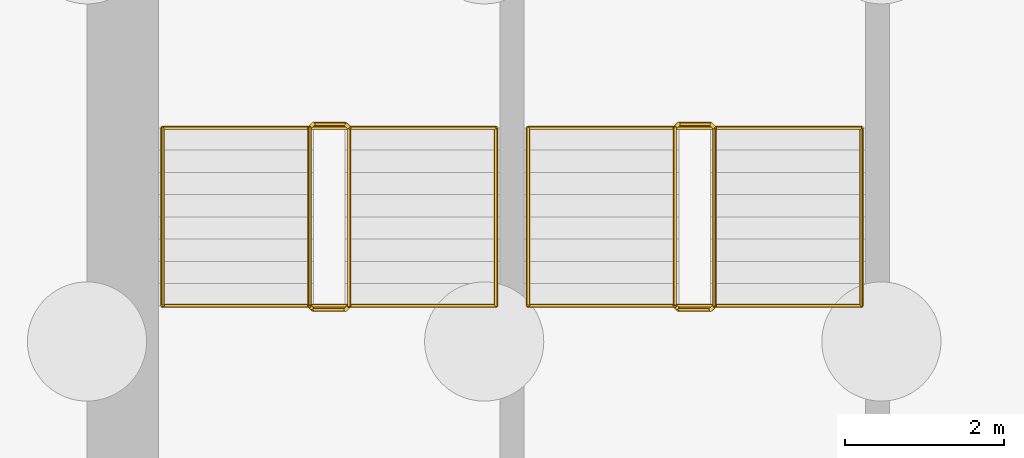
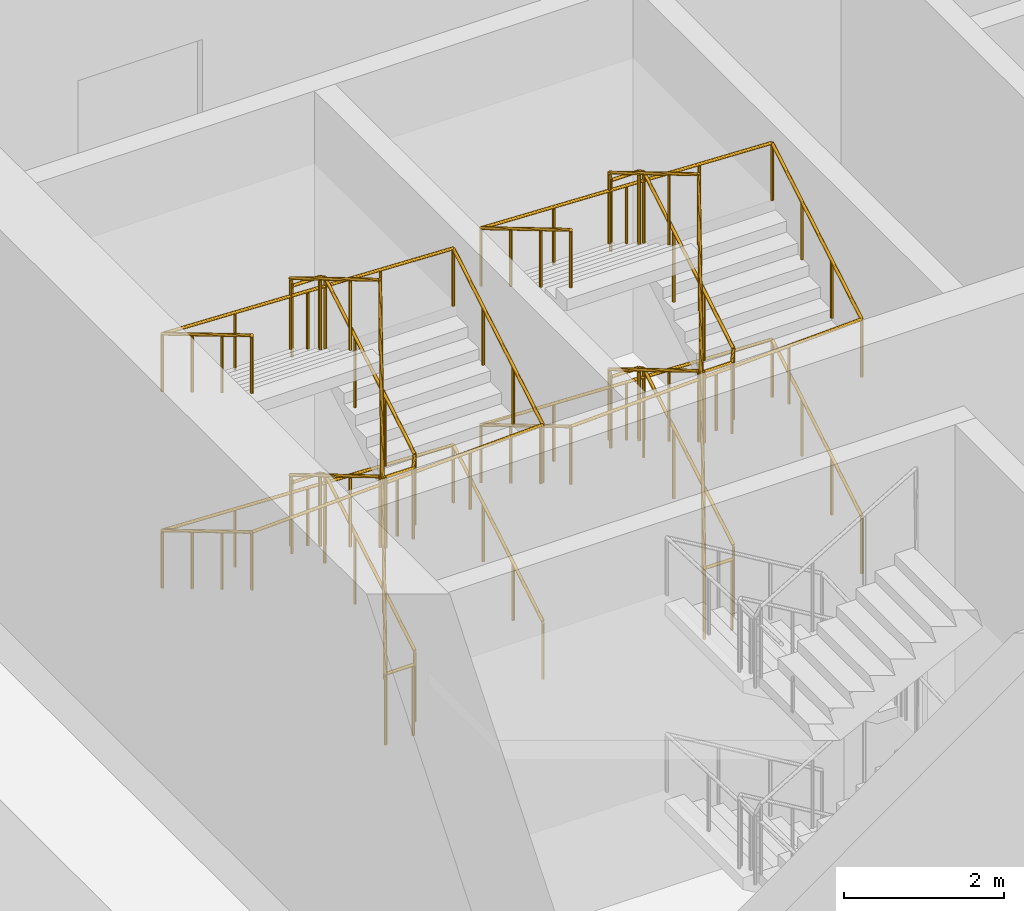
# One storey, part 19 of 25: 4 railings.
"""IFC4 building model written with IfcOpenShell, lengths in metres."""

from ifc_helpers import new_model, si_unit, direction, frame, origin, origin_2d, place, context, subcontext, project, spatial, circle, extrude, material, type_object, element, save


model = new_model("IFC4")

# Units and contexts
model_context = context("Model", 3, precision=1e-05, world=origin(), true_north=direction((0.0, 1.0)))
body_context = subcontext(model_context, "Body", "Model", "MODEL_VIEW")
ifc_project = project(units=[si_unit("LENGTHUNIT", "METRE"), si_unit("AREAUNIT", "SQUARE_METRE"), si_unit("VOLUMEUNIT", "CUBIC_METRE"), si_unit("PLANEANGLEUNIT", "RADIAN"), si_unit("MASSUNIT", "GRAM", prefix="KILO")], contexts=[model_context])

# Site, building, storey
site_placement = place(None, origin())
site = spatial("IfcSite", under=ifc_project, at=site_placement, CompositionType="ELEMENT")
building_placement = place(site_placement, origin())
building = spatial("IfcBuilding", under=site, at=building_placement, Name="Hunhe Ridgeline Campus", CompositionType="ELEMENT")
storey_placement = place(building_placement, frame((0.0, 0.0, -6.0)))
storey = spatial("IfcBuildingStorey", under=building, at=storey_placement, Name="B1", CompositionType="ELEMENT", Elevation=-6.0)

# Railings
ifc_material_1 = material(Name="Stainless steel balustrade", Category="steel")
railing_type_1 = type_object("IfcRailingType", Name="Stair guard 1100 stainless", PredefinedType="GUARDRAIL", material=ifc_material_1)
railing_1_placement = place(storey_placement, frame((3.300048828125, 65.449951171875, 0.166748046875)))
element("IfcRailing", 1, at=railing_1_placement, inside=storey, type_object=railing_type_1, Name="B1 stair S3 guard", PredefinedType="GUARDRAIL", context=body_context, shape_type="SweptSolid", body=[
    extrude(circle(Radius=0.02392578125, at=origin_2d()), frame((0.0, 0.0, 1.076171875), z_axis=(0.0, 0.859305625298, 0.511462454469), x_axis=(-1.0, 0.0, 0.0)), (0.0, 0.0, 1.0), 2.606689453125),
    extrude(circle(Radius=0.02392578125, at=origin_2d()), frame((0.0, 2.239990234375, 2.4091796875), z_axis=(-0.707106781187, 0.707106781187, 0.0), x_axis=(-0.707106781187, -0.707106781187, 0.0)), (0.0, 0.0, 1.0), 0.07080078125),
    extrude(circle(Radius=0.02392578125, at=origin_2d()), frame((-0.050048828125, 2.2900390625, 2.4091796875), z_axis=(-1.0, 0.0, 0.0), x_axis=(0.0, -1.0, 0.0)), (0.0, 0.0, 1.0), 0.39990234375),
    extrude(circle(Radius=0.02392578125, at=origin_2d()), frame((-0.449951171875, 2.2900390625, 2.4091796875), z_axis=(-0.27628659633, -0.27628659633, 0.920506074601), x_axis=(0.707106781187, -0.707106781187, 0.0)), (0.0, 0.0, 1.0), 0.18115234375),
    extrude(circle(Radius=0.02392578125, at=origin_2d()), frame((-0.5, 2.239990234375, 2.576171875), z_axis=(0.0, -0.859305625298, 0.511462454469), x_axis=(1.0, 0.0, 0.0)), (0.0, 0.0, 1.0), 2.606689453125),
    extrude(circle(Radius=0.02392578125, at=origin_2d()), frame((-0.5, 0.0, 3.9091796875), z_axis=(0.707106781187, -0.707106781187, 0.0), x_axis=(0.707106781187, 0.707106781187, 0.0)), (0.0, 0.0, 1.0), 0.07080078125),
    extrude(circle(Radius=0.02392578125, at=origin_2d()), frame((-0.449951171875, -0.050048828125, 3.9091796875), z_axis=(1.0, 0.0, 0.0), x_axis=(0.0, 1.0, 0.0)), (0.0, 0.0, 1.0), 0.39990234375),
    extrude(circle(Radius=0.02392578125, at=origin_2d()), frame((-0.050048828125, -0.050048828125, 3.9091796875), z_axis=(0.27628659633, 0.27628659633, 0.920506074601), x_axis=(-0.707106781187, 0.707106781187, 0.0)), (0.0, 0.0, 1.0), 0.18115234375),
    extrude(circle(Radius=0.02392578125, at=origin_2d()), frame((0.0, 0.0, 4.076171875), z_axis=(0.0, 0.859305625298, 0.511462454469), x_axis=(-1.0, 0.0, 0.0)), (0.0, 0.0, 1.0), 2.606689453125),
    extrude(circle(Radius=0.02392578125, at=origin_2d()), frame((0.0, 2.239990234375, 5.4091796875), z_axis=(-0.707106781187, 0.707106781187, 0.0), x_axis=(-0.707106781187, -0.707106781187, 0.0)), (0.0, 0.0, 1.0), 0.07080078125),
    extrude(circle(Radius=0.02392578125, at=origin_2d()), frame((-0.050048828125, 2.2900390625, 5.4091796875), z_axis=(-1.0, 0.0, 0.0), x_axis=(0.0, -1.0, 0.0)), (0.0, 0.0, 1.0), 0.39990234375),
    extrude(circle(Radius=0.02392578125, at=origin_2d()), frame((-0.449951171875, 2.2900390625, 5.4091796875), z_axis=(-0.27628659633, -0.27628659633, 0.920506074601), x_axis=(0.707106781187, -0.707106781187, 0.0)), (0.0, 0.0, 1.0), 0.18115234375),
    extrude(circle(Radius=0.02392578125, at=origin_2d()), frame((-0.5, 2.239990234375, 5.576171875), z_axis=(0.0, -0.859305625298, 0.511462454469), x_axis=(1.0, 0.0, 0.0)), (0.0, 0.0, 1.0), 2.606689453125),
    extrude(circle(Radius=0.02392578125, at=origin_2d()), frame((-0.5, 0.0, 6.9091796875), z_axis=(0.008340891014, -0.008340891014, -0.999930427117), x_axis=(1.0, 0.0, 0.0)), (0.0, 0.0, 1.0), 6.00048828125),
    extrude(circle(Radius=0.02392578125, at=origin_2d()), frame((-0.449951171875, -0.050048828125, 0.9091796875), z_axis=(1.0, 0.0, 0.0), x_axis=(0.0, 1.0, 0.0)), (0.0, 0.0, 1.0), 0.39990234375),
    extrude(circle(Radius=0.02099609375, at=origin_2d()), origin(), (0.0, 0.0, 1.0), 1.052001953125),
    extrude(circle(Radius=0.02099609375, at=origin_2d()), frame((0.0, 0.74658203125, 0.4443359375)), (0.0, 0.0, 1.0), 1.052001953125),
    extrude(circle(Radius=0.02099609375, at=origin_2d()), frame((0.0, 1.493408203125, 0.888916015625)), (0.0, 0.0, 1.0), 1.052001953125),
    extrude(circle(Radius=0.02099609375, at=origin_2d()), frame((0.0, 2.239990234375, 1.333251953125)), (0.0, 0.0, 1.0), 1.052001953125),
    extrude(circle(Radius=0.02099609375, at=origin_2d()), frame((-0.050048828125, 2.2900390625, 1.333251953125)), (0.0, 0.0, 1.0), 1.052001953125),
    extrude(circle(Radius=0.02099609375, at=origin_2d()), frame((-0.449951171875, 2.2900390625, 1.333251953125)), (0.0, 0.0, 1.0), 1.052001953125),
    extrude(circle(Radius=0.02099609375, at=origin_2d()), frame((-0.5, 2.239990234375, 1.5)), (0.0, 0.0, 1.0), 1.052001953125),
    extrude(circle(Radius=0.02099609375, at=origin_2d()), frame((-0.5, 1.493408203125, 1.9443359375)), (0.0, 0.0, 1.0), 1.052001953125),
    extrude(circle(Radius=0.02099609375, at=origin_2d()), frame((-0.5, 0.74658203125, 2.388916015625)), (0.0, 0.0, 1.0), 1.052001953125),
    extrude(circle(Radius=0.02099609375, at=origin_2d()), frame((-0.5, 0.0, 2.833251953125)), (0.0, 0.0, 1.0), 1.052001953125),
    extrude(circle(Radius=0.02099609375, at=origin_2d()), frame((-0.449951171875, -0.050048828125, 2.833251953125)), (0.0, 0.0, 1.0), 1.052001953125),
    extrude(circle(Radius=0.02099609375, at=origin_2d()), frame((-0.050048828125, -0.050048828125, 2.833251953125)), (0.0, 0.0, 1.0), 1.052001953125),
    extrude(circle(Radius=0.02099609375, at=origin_2d()), frame((0.0, 0.0, 3.0)), (0.0, 0.0, 1.0), 1.052001953125),
    extrude(circle(Radius=0.02099609375, at=origin_2d()), frame((0.0, 0.74658203125, 3.4443359375)), (0.0, 0.0, 1.0), 1.052001953125),
    extrude(circle(Radius=0.02099609375, at=origin_2d()), frame((0.0, 1.493408203125, 3.888916015625)), (0.0, 0.0, 1.0), 1.052001953125),
    extrude(circle(Radius=0.02099609375, at=origin_2d()), frame((0.0, 2.239990234375, 4.333251953125)), (0.0, 0.0, 1.0), 1.052001953125),
    extrude(circle(Radius=0.02099609375, at=origin_2d()), frame((-0.050048828125, 2.2900390625, 4.333251953125)), (0.0, 0.0, 1.0), 1.052001953125),
    extrude(circle(Radius=0.02099609375, at=origin_2d()), frame((-0.449951171875, 2.2900390625, 4.333251953125)), (0.0, 0.0, 1.0), 1.052001953125),
    extrude(circle(Radius=0.02099609375, at=origin_2d()), frame((-0.5, 2.239990234375, 4.5)), (0.0, 0.0, 1.0), 1.052001953125),
    extrude(circle(Radius=0.02099609375, at=origin_2d()), frame((-0.5, 1.493408203125, 4.9443359375)), (0.0, 0.0, 1.0), 1.052001953125),
    extrude(circle(Radius=0.02099609375, at=origin_2d()), frame((-0.5, 0.74658203125, 5.388916015625)), (0.0, 0.0, 1.0), 1.052001953125),
    extrude(circle(Radius=0.02099609375, at=origin_2d()), frame((-0.5, 0.0, 5.833251953125)), (0.0, 0.0, 1.0), 1.052001953125),
    extrude(circle(Radius=0.02099609375, at=origin_2d()), frame((-0.49169921875, -0.00830078125, 4.833251953125)), (0.0, 0.0, 1.0), 1.052001953125),
    extrude(circle(Radius=0.02099609375, at=origin_2d()), frame((-0.4833984375, -0.0166015625, 3.833251953125)), (0.0, 0.0, 1.0), 1.052001953125),
    extrude(circle(Radius=0.02099609375, at=origin_2d()), frame((-0.47509765625, -0.02490234375, 2.833251953125)), (0.0, 0.0, 1.0), 1.052001953125),
    extrude(circle(Radius=0.02099609375, at=origin_2d()), frame((-0.466552734375, -0.033447265625, 1.833251953125)), (0.0, 0.0, 1.0), 1.052001953125),
    extrude(circle(Radius=0.02099609375, at=origin_2d()), frame((-0.458251953125, -0.041748046875, 0.833251953125)), (0.0, 0.0, 1.0), 1.052001953125),
    extrude(circle(Radius=0.02099609375, at=origin_2d()), frame((-0.449951171875, -0.050048828125, -0.166748046875)), (0.0, 0.0, 1.0), 1.052001953125),
    extrude(circle(Radius=0.02099609375, at=origin_2d()), frame((-0.050048828125, -0.050048828125, -0.166748046875)), (0.0, 0.0, 1.0), 1.052001953125),
])
railing_2_placement = place(storey_placement, frame((7.89990234375, 65.449951171875, 0.166748046875)))
element("IfcRailing", 2, at=railing_2_placement, inside=storey, type_object=railing_type_1, Name="B1 stair S4 guard", PredefinedType="GUARDRAIL", context=body_context, shape_type="SweptSolid", body=[
    extrude(circle(Radius=0.02392578125, at=origin_2d()), frame((0.0, 0.0, 1.076171875), z_axis=(0.0, 0.859305625298, 0.511462454469), x_axis=(-1.0, 0.0, 0.0)), (0.0, 0.0, 1.0), 2.606689453125),
    extrude(circle(Radius=0.02392578125, at=origin_2d()), frame((0.0, 2.239990234375, 2.4091796875), z_axis=(-0.705375805398, 0.708833529934, 0.0), x_axis=(-0.708833529934, -0.705375805398, 0.0)), (0.0, 0.0, 1.0), 0.070556640625),
    extrude(circle(Radius=0.02392578125, at=origin_2d()), frame((-0.0498046875, 2.2900390625, 2.4091796875), z_axis=(-1.0, 0.0, 0.0), x_axis=(0.0, -1.0, 0.0)), (0.0, 0.0, 1.0), 0.400146484375),
    extrude(circle(Radius=0.02392578125, at=origin_2d()), frame((-0.449951171875, 2.2900390625, 2.4091796875), z_axis=(-0.27628659633, -0.27628659633, 0.920506074601), x_axis=(0.707106781187, -0.707106781187, 0.0)), (0.0, 0.0, 1.0), 0.18115234375),
    extrude(circle(Radius=0.02392578125, at=origin_2d()), frame((-0.5, 2.239990234375, 2.576171875), z_axis=(0.0, -0.859305625298, 0.511462454469), x_axis=(1.0, 0.0, 0.0)), (0.0, 0.0, 1.0), 2.606689453125),
    extrude(circle(Radius=0.02392578125, at=origin_2d()), frame((-0.5, 0.0, 3.9091796875), z_axis=(0.707106781187, -0.707106781187, 0.0), x_axis=(0.707106781187, 0.707106781187, 0.0)), (0.0, 0.0, 1.0), 0.07080078125),
    extrude(circle(Radius=0.02392578125, at=origin_2d()), frame((-0.449951171875, -0.050048828125, 3.9091796875), z_axis=(1.0, 0.0, 0.0), x_axis=(0.0, 1.0, 0.0)), (0.0, 0.0, 1.0), 0.400146484375),
    extrude(circle(Radius=0.02392578125, at=origin_2d()), frame((-0.0498046875, -0.050048828125, 3.9091796875), z_axis=(0.275041040955, 0.276389281352, 0.920848191041), x_axis=(-0.708833529934, 0.705375805398, 0.0)), (0.0, 0.0, 1.0), 0.18115234375),
    extrude(circle(Radius=0.02392578125, at=origin_2d()), frame((0.0, 0.0, 4.076171875), z_axis=(0.0, 0.859305625298, 0.511462454469), x_axis=(-1.0, 0.0, 0.0)), (0.0, 0.0, 1.0), 2.606689453125),
    extrude(circle(Radius=0.02392578125, at=origin_2d()), frame((0.0, 2.239990234375, 5.4091796875), z_axis=(-0.705375805398, 0.708833529934, 0.0), x_axis=(-0.708833529934, -0.705375805398, 0.0)), (0.0, 0.0, 1.0), 0.070556640625),
    extrude(circle(Radius=0.02392578125, at=origin_2d()), frame((-0.0498046875, 2.2900390625, 5.4091796875), z_axis=(-1.0, 0.0, 0.0), x_axis=(0.0, -1.0, 0.0)), (0.0, 0.0, 1.0), 0.400146484375),
    extrude(circle(Radius=0.02392578125, at=origin_2d()), frame((-0.449951171875, 2.2900390625, 5.4091796875), z_axis=(-0.27628659633, -0.27628659633, 0.920506074601), x_axis=(0.707106781187, -0.707106781187, 0.0)), (0.0, 0.0, 1.0), 0.18115234375),
    extrude(circle(Radius=0.02392578125, at=origin_2d()), frame((-0.5, 2.239990234375, 5.576171875), z_axis=(0.0, -0.859305625298, 0.511462454469), x_axis=(1.0, 0.0, 0.0)), (0.0, 0.0, 1.0), 2.606689453125),
    extrude(circle(Radius=0.02392578125, at=origin_2d()), frame((-0.5, 0.0, 6.9091796875), z_axis=(0.008340891014, -0.008340891014, -0.999930427117), x_axis=(1.0, 0.0, 0.0)), (0.0, 0.0, 1.0), 6.00048828125),
    extrude(circle(Radius=0.02392578125, at=origin_2d()), frame((-0.449951171875, -0.050048828125, 0.9091796875), z_axis=(1.0, 0.0, 0.0), x_axis=(0.0, 1.0, 0.0)), (0.0, 0.0, 1.0), 0.400146484375),
    extrude(circle(Radius=0.02099609375, at=origin_2d()), origin(), (0.0, 0.0, 1.0), 1.052001953125),
    extrude(circle(Radius=0.02099609375, at=origin_2d()), frame((0.0, 0.74658203125, 0.4443359375)), (0.0, 0.0, 1.0), 1.052001953125),
    extrude(circle(Radius=0.02099609375, at=origin_2d()), frame((0.0, 1.493408203125, 0.888916015625)), (0.0, 0.0, 1.0), 1.052001953125),
    extrude(circle(Radius=0.02099609375, at=origin_2d()), frame((0.0, 2.239990234375, 1.333251953125)), (0.0, 0.0, 1.0), 1.052001953125),
    extrude(circle(Radius=0.02099609375, at=origin_2d()), frame((-0.0498046875, 2.2900390625, 1.333251953125)), (0.0, 0.0, 1.0), 1.052001953125),
    extrude(circle(Radius=0.02099609375, at=origin_2d()), frame((-0.449951171875, 2.2900390625, 1.333251953125)), (0.0, 0.0, 1.0), 1.052001953125),
    extrude(circle(Radius=0.02099609375, at=origin_2d()), frame((-0.5, 2.239990234375, 1.5)), (0.0, 0.0, 1.0), 1.052001953125),
    extrude(circle(Radius=0.02099609375, at=origin_2d()), frame((-0.5, 1.493408203125, 1.9443359375)), (0.0, 0.0, 1.0), 1.052001953125),
    extrude(circle(Radius=0.02099609375, at=origin_2d()), frame((-0.5, 0.74658203125, 2.388916015625)), (0.0, 0.0, 1.0), 1.052001953125),
    extrude(circle(Radius=0.02099609375, at=origin_2d()), frame((-0.5, 0.0, 2.833251953125)), (0.0, 0.0, 1.0), 1.052001953125),
    extrude(circle(Radius=0.02099609375, at=origin_2d()), frame((-0.449951171875, -0.050048828125, 2.833251953125)), (0.0, 0.0, 1.0), 1.052001953125),
    extrude(circle(Radius=0.02099609375, at=origin_2d()), frame((-0.0498046875, -0.050048828125, 2.833251953125)), (0.0, 0.0, 1.0), 1.052001953125),
    extrude(circle(Radius=0.02099609375, at=origin_2d()), frame((0.0, 0.0, 3.0)), (0.0, 0.0, 1.0), 1.052001953125),
    extrude(circle(Radius=0.02099609375, at=origin_2d()), frame((0.0, 0.74658203125, 3.4443359375)), (0.0, 0.0, 1.0), 1.052001953125),
    extrude(circle(Radius=0.02099609375, at=origin_2d()), frame((0.0, 1.493408203125, 3.888916015625)), (0.0, 0.0, 1.0), 1.052001953125),
    extrude(circle(Radius=0.02099609375, at=origin_2d()), frame((0.0, 2.239990234375, 4.333251953125)), (0.0, 0.0, 1.0), 1.052001953125),
    extrude(circle(Radius=0.02099609375, at=origin_2d()), frame((-0.0498046875, 2.2900390625, 4.333251953125)), (0.0, 0.0, 1.0), 1.052001953125),
    extrude(circle(Radius=0.02099609375, at=origin_2d()), frame((-0.449951171875, 2.2900390625, 4.333251953125)), (0.0, 0.0, 1.0), 1.052001953125),
    extrude(circle(Radius=0.02099609375, at=origin_2d()), frame((-0.5, 2.239990234375, 4.5)), (0.0, 0.0, 1.0), 1.052001953125),
    extrude(circle(Radius=0.02099609375, at=origin_2d()), frame((-0.5, 1.493408203125, 4.9443359375)), (0.0, 0.0, 1.0), 1.052001953125),
    extrude(circle(Radius=0.02099609375, at=origin_2d()), frame((-0.5, 0.74658203125, 5.388916015625)), (0.0, 0.0, 1.0), 1.052001953125),
    extrude(circle(Radius=0.02099609375, at=origin_2d()), frame((-0.5, 0.0, 5.833251953125)), (0.0, 0.0, 1.0), 1.052001953125),
    extrude(circle(Radius=0.02099609375, at=origin_2d()), frame((-0.49169921875, -0.00830078125, 4.833251953125)), (0.0, 0.0, 1.0), 1.052001953125),
    extrude(circle(Radius=0.02099609375, at=origin_2d()), frame((-0.4833984375, -0.0166015625, 3.833251953125)), (0.0, 0.0, 1.0), 1.052001953125),
    extrude(circle(Radius=0.02099609375, at=origin_2d()), frame((-0.47509765625, -0.02490234375, 2.833251953125)), (0.0, 0.0, 1.0), 1.052001953125),
    extrude(circle(Radius=0.02099609375, at=origin_2d()), frame((-0.466552734375, -0.033447265625, 1.833251953125)), (0.0, 0.0, 1.0), 1.052001953125),
    extrude(circle(Radius=0.02099609375, at=origin_2d()), frame((-0.458251953125, -0.041748046875, 0.833251953125)), (0.0, 0.0, 1.0), 1.052001953125),
    extrude(circle(Radius=0.02099609375, at=origin_2d()), frame((-0.449951171875, -0.050048828125, -0.166748046875)), (0.0, 0.0, 1.0), 1.052001953125),
    extrude(circle(Radius=0.02099609375, at=origin_2d()), frame((-0.0498046875, -0.050048828125, -0.166748046875)), (0.0, 0.0, 1.0), 1.052001953125),
])
ifc_material_2 = material(Name="Stainless steel handrail", Category="steel")
railing_type_2 = type_object("IfcRailingType", Name="Stair handrail 900 stainless", PredefinedType="HANDRAIL", material=ifc_material_2)
railing_3_placement = place(storey_placement, frame((5.14990234375, 65.449951171875, 0.166748046875)))
element("IfcRailing", 3, at=railing_3_placement, inside=storey, type_object=railing_type_2, Name="B1 stair S3 handrail", PredefinedType="HANDRAIL", context=body_context, shape_type="SweptSolid", body=[
    extrude(circle(Radius=0.02392578125, at=origin_2d()), frame((0.0, 0.0, 0.8759765625), z_axis=(0.0, 0.859305625298, 0.511462454469), x_axis=(-1.0, 0.0, 0.0)), (0.0, 0.0, 1.0), 2.606689453125),
    extrude(circle(Radius=0.02392578125, at=origin_2d()), frame((0.0, 2.239990234375, 2.208984375), z_axis=(-0.999212791134, 0.0, 0.039671123429), x_axis=(0.0, -1.0, 0.0)), (0.0, 0.0, 1.0), 4.203369140625),
    extrude(circle(Radius=0.02392578125, at=origin_2d()), frame((-4.199951171875, 2.239990234375, 2.3759765625), z_axis=(0.0, -0.859305625298, 0.511462454469), x_axis=(1.0, 0.0, 0.0)), (0.0, 0.0, 1.0), 2.606689453125),
    extrude(circle(Radius=0.02392578125, at=origin_2d()), frame((-4.199951171875, 0.0, 3.708984375), z_axis=(0.999212791134, 0.0, 0.039671123429), x_axis=(0.0, 1.0, 0.0)), (0.0, 0.0, 1.0), 4.203369140625),
    extrude(circle(Radius=0.02392578125, at=origin_2d()), frame((0.0, 0.0, 3.8759765625), z_axis=(0.0, 0.859305625298, 0.511462454469), x_axis=(-1.0, 0.0, 0.0)), (0.0, 0.0, 1.0), 2.606689453125),
    extrude(circle(Radius=0.02392578125, at=origin_2d()), frame((0.0, 2.239990234375, 5.208984375), z_axis=(-0.999212791134, 0.0, 0.039671123429), x_axis=(0.0, -1.0, 0.0)), (0.0, 0.0, 1.0), 4.203369140625),
    extrude(circle(Radius=0.02392578125, at=origin_2d()), frame((-4.199951171875, 2.239990234375, 5.3759765625), z_axis=(0.0, -0.859305625298, 0.511462454469), x_axis=(1.0, 0.0, 0.0)), (0.0, 0.0, 1.0), 2.606689453125),
    extrude(circle(Radius=0.02099609375, at=origin_2d()), origin(), (0.0, 0.0, 1.0), 0.851806640625),
    extrude(circle(Radius=0.02099609375, at=origin_2d()), frame((0.0, 0.74658203125, 0.4443359375)), (0.0, 0.0, 1.0), 0.851806640625),
    extrude(circle(Radius=0.02099609375, at=origin_2d()), frame((0.0, 1.493408203125, 0.888916015625)), (0.0, 0.0, 1.0), 0.851806640625),
    extrude(circle(Radius=0.02099609375, at=origin_2d()), frame((0.0, 2.239990234375, 1.333251953125)), (0.0, 0.0, 1.0), 0.851806640625),
    extrude(circle(Radius=0.02099609375, at=origin_2d()), frame((-1.050048828125, 2.239990234375, 1.375)), (0.0, 0.0, 1.0), 0.851806640625),
    extrude(circle(Radius=0.02099609375, at=origin_2d()), frame((-2.10009765625, 2.239990234375, 1.41650390625)), (0.0, 0.0, 1.0), 0.851806640625),
    extrude(circle(Radius=0.02099609375, at=origin_2d()), frame((-3.14990234375, 2.239990234375, 1.458251953125)), (0.0, 0.0, 1.0), 0.851806640625),
    extrude(circle(Radius=0.02099609375, at=origin_2d()), frame((-4.199951171875, 2.239990234375, 1.5)), (0.0, 0.0, 1.0), 0.851806640625),
    extrude(circle(Radius=0.02099609375, at=origin_2d()), frame((-4.199951171875, 1.493408203125, 1.9443359375)), (0.0, 0.0, 1.0), 0.851806640625),
    extrude(circle(Radius=0.02099609375, at=origin_2d()), frame((-4.199951171875, 0.74658203125, 2.388916015625)), (0.0, 0.0, 1.0), 0.851806640625),
    extrude(circle(Radius=0.02099609375, at=origin_2d()), frame((-4.199951171875, 0.0, 2.833251953125)), (0.0, 0.0, 1.0), 0.851806640625),
    extrude(circle(Radius=0.02099609375, at=origin_2d()), frame((-3.14990234375, 0.0, 2.875)), (0.0, 0.0, 1.0), 0.851806640625),
    extrude(circle(Radius=0.02099609375, at=origin_2d()), frame((-2.10009765625, 0.0, 2.91650390625)), (0.0, 0.0, 1.0), 0.851806640625),
    extrude(circle(Radius=0.02099609375, at=origin_2d()), frame((-1.050048828125, 0.0, 2.958251953125)), (0.0, 0.0, 1.0), 0.851806640625),
    extrude(circle(Radius=0.02099609375, at=origin_2d()), frame((0.0, 0.0, 3.0)), (0.0, 0.0, 1.0), 0.851806640625),
    extrude(circle(Radius=0.02099609375, at=origin_2d()), frame((0.0, 0.74658203125, 3.4443359375)), (0.0, 0.0, 1.0), 0.851806640625),
    extrude(circle(Radius=0.02099609375, at=origin_2d()), frame((0.0, 1.493408203125, 3.888916015625)), (0.0, 0.0, 1.0), 0.851806640625),
    extrude(circle(Radius=0.02099609375, at=origin_2d()), frame((0.0, 2.239990234375, 4.333251953125)), (0.0, 0.0, 1.0), 0.851806640625),
    extrude(circle(Radius=0.02099609375, at=origin_2d()), frame((-1.050048828125, 2.239990234375, 4.375)), (0.0, 0.0, 1.0), 0.851806640625),
    extrude(circle(Radius=0.02099609375, at=origin_2d()), frame((-2.10009765625, 2.239990234375, 4.41650390625)), (0.0, 0.0, 1.0), 0.851806640625),
    extrude(circle(Radius=0.02099609375, at=origin_2d()), frame((-3.14990234375, 2.239990234375, 4.458251953125)), (0.0, 0.0, 1.0), 0.851806640625),
    extrude(circle(Radius=0.02099609375, at=origin_2d()), frame((-4.199951171875, 2.239990234375, 4.5)), (0.0, 0.0, 1.0), 0.851806640625),
    extrude(circle(Radius=0.02099609375, at=origin_2d()), frame((-4.199951171875, 1.493408203125, 4.9443359375)), (0.0, 0.0, 1.0), 0.851806640625),
    extrude(circle(Radius=0.02099609375, at=origin_2d()), frame((-4.199951171875, 0.74658203125, 5.388916015625)), (0.0, 0.0, 1.0), 0.851806640625),
    extrude(circle(Radius=0.02099609375, at=origin_2d()), frame((-4.199951171875, 0.0, 5.833251953125)), (0.0, 0.0, 1.0), 0.851806640625),
])
railing_4_placement = place(storey_placement, frame((9.75, 65.449951171875, 0.166748046875)))
element("IfcRailing", 4, at=railing_4_placement, inside=storey, type_object=railing_type_2, Name="B1 stair S4 handrail", PredefinedType="HANDRAIL", context=body_context, shape_type="SweptSolid", body=[
    extrude(circle(Radius=0.02392578125, at=origin_2d()), frame((0.0, 0.0, 0.8759765625), z_axis=(0.0, 0.859305625298, 0.511462454469), x_axis=(-1.0, 0.0, 0.0)), (0.0, 0.0, 1.0), 2.606689453125),
    extrude(circle(Radius=0.02392578125, at=origin_2d()), frame((0.0, 2.239990234375, 2.208984375), z_axis=(-0.999212791134, 0.0, 0.039671123429), x_axis=(0.0, -1.0, 0.0)), (0.0, 0.0, 1.0), 4.203369140625),
    extrude(circle(Radius=0.02392578125, at=origin_2d()), frame((-4.199951171875, 2.239990234375, 2.3759765625), z_axis=(0.0, -0.859305625298, 0.511462454469), x_axis=(1.0, 0.0, 0.0)), (0.0, 0.0, 1.0), 2.606689453125),
    extrude(circle(Radius=0.02392578125, at=origin_2d()), frame((-4.199951171875, 0.0, 3.708984375), z_axis=(0.999212791134, 0.0, 0.039671123429), x_axis=(0.0, 1.0, 0.0)), (0.0, 0.0, 1.0), 4.203369140625),
    extrude(circle(Radius=0.02392578125, at=origin_2d()), frame((0.0, 0.0, 3.8759765625), z_axis=(0.0, 0.859305625298, 0.511462454469), x_axis=(-1.0, 0.0, 0.0)), (0.0, 0.0, 1.0), 2.606689453125),
    extrude(circle(Radius=0.02392578125, at=origin_2d()), frame((0.0, 2.239990234375, 5.208984375), z_axis=(-0.999212791134, 0.0, 0.039671123429), x_axis=(0.0, -1.0, 0.0)), (0.0, 0.0, 1.0), 4.203369140625),
    extrude(circle(Radius=0.02392578125, at=origin_2d()), frame((-4.199951171875, 2.239990234375, 5.3759765625), z_axis=(0.0, -0.859305625298, 0.511462454469), x_axis=(1.0, 0.0, 0.0)), (0.0, 0.0, 1.0), 2.606689453125),
    extrude(circle(Radius=0.02099609375, at=origin_2d()), origin(), (0.0, 0.0, 1.0), 0.851806640625),
    extrude(circle(Radius=0.02099609375, at=origin_2d()), frame((0.0, 0.74658203125, 0.4443359375)), (0.0, 0.0, 1.0), 0.851806640625),
    extrude(circle(Radius=0.02099609375, at=origin_2d()), frame((0.0, 1.493408203125, 0.888916015625)), (0.0, 0.0, 1.0), 0.851806640625),
    extrude(circle(Radius=0.02099609375, at=origin_2d()), frame((0.0, 2.239990234375, 1.333251953125)), (0.0, 0.0, 1.0), 0.851806640625),
    extrude(circle(Radius=0.02099609375, at=origin_2d()), frame((-1.050048828125, 2.239990234375, 1.375)), (0.0, 0.0, 1.0), 0.851806640625),
    extrude(circle(Radius=0.02099609375, at=origin_2d()), frame((-2.10009765625, 2.239990234375, 1.41650390625)), (0.0, 0.0, 1.0), 0.851806640625),
    extrude(circle(Radius=0.02099609375, at=origin_2d()), frame((-3.14990234375, 2.239990234375, 1.458251953125)), (0.0, 0.0, 1.0), 0.851806640625),
    extrude(circle(Radius=0.02099609375, at=origin_2d()), frame((-4.199951171875, 2.239990234375, 1.5)), (0.0, 0.0, 1.0), 0.851806640625),
    extrude(circle(Radius=0.02099609375, at=origin_2d()), frame((-4.199951171875, 1.493408203125, 1.9443359375)), (0.0, 0.0, 1.0), 0.851806640625),
    extrude(circle(Radius=0.02099609375, at=origin_2d()), frame((-4.199951171875, 0.74658203125, 2.388916015625)), (0.0, 0.0, 1.0), 0.851806640625),
    extrude(circle(Radius=0.02099609375, at=origin_2d()), frame((-4.199951171875, 0.0, 2.833251953125)), (0.0, 0.0, 1.0), 0.851806640625),
    extrude(circle(Radius=0.02099609375, at=origin_2d()), frame((-3.14990234375, 0.0, 2.875)), (0.0, 0.0, 1.0), 0.851806640625),
    extrude(circle(Radius=0.02099609375, at=origin_2d()), frame((-2.10009765625, 0.0, 2.91650390625)), (0.0, 0.0, 1.0), 0.851806640625),
    extrude(circle(Radius=0.02099609375, at=origin_2d()), frame((-1.050048828125, 0.0, 2.958251953125)), (0.0, 0.0, 1.0), 0.851806640625),
    extrude(circle(Radius=0.02099609375, at=origin_2d()), frame((0.0, 0.0, 3.0)), (0.0, 0.0, 1.0), 0.851806640625),
    extrude(circle(Radius=0.02099609375, at=origin_2d()), frame((0.0, 0.74658203125, 3.4443359375)), (0.0, 0.0, 1.0), 0.851806640625),
    extrude(circle(Radius=0.02099609375, at=origin_2d()), frame((0.0, 1.493408203125, 3.888916015625)), (0.0, 0.0, 1.0), 0.851806640625),
    extrude(circle(Radius=0.02099609375, at=origin_2d()), frame((0.0, 2.239990234375, 4.333251953125)), (0.0, 0.0, 1.0), 0.851806640625),
    extrude(circle(Radius=0.02099609375, at=origin_2d()), frame((-1.050048828125, 2.239990234375, 4.375)), (0.0, 0.0, 1.0), 0.851806640625),
    extrude(circle(Radius=0.02099609375, at=origin_2d()), frame((-2.10009765625, 2.239990234375, 4.41650390625)), (0.0, 0.0, 1.0), 0.851806640625),
    extrude(circle(Radius=0.02099609375, at=origin_2d()), frame((-3.14990234375, 2.239990234375, 4.458251953125)), (0.0, 0.0, 1.0), 0.851806640625),
    extrude(circle(Radius=0.02099609375, at=origin_2d()), frame((-4.199951171875, 2.239990234375, 4.5)), (0.0, 0.0, 1.0), 0.851806640625),
    extrude(circle(Radius=0.02099609375, at=origin_2d()), frame((-4.199951171875, 1.493408203125, 4.9443359375)), (0.0, 0.0, 1.0), 0.851806640625),
    extrude(circle(Radius=0.02099609375, at=origin_2d()), frame((-4.199951171875, 0.74658203125, 5.388916015625)), (0.0, 0.0, 1.0), 0.851806640625),
    extrude(circle(Radius=0.02099609375, at=origin_2d()), frame((-4.199951171875, 0.0, 5.833251953125)), (0.0, 0.0, 1.0), 0.851806640625),
])

save(model, "model.ifc")
